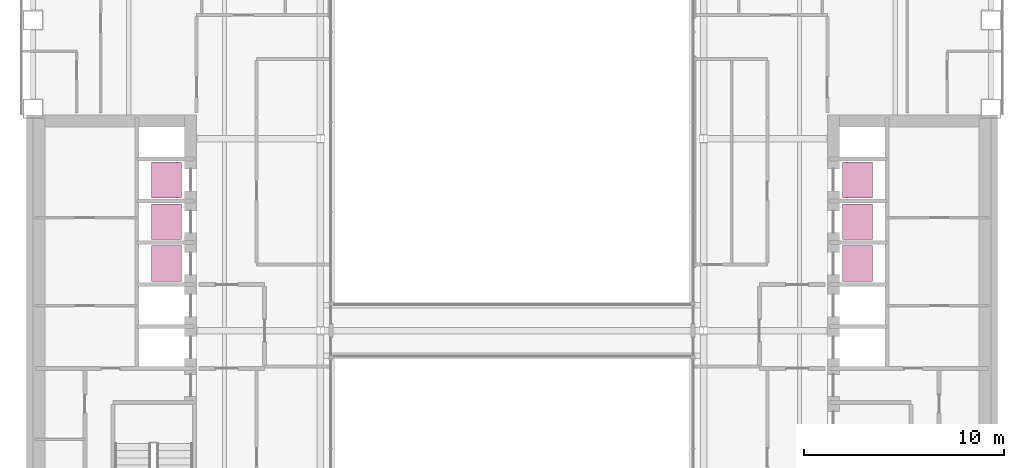
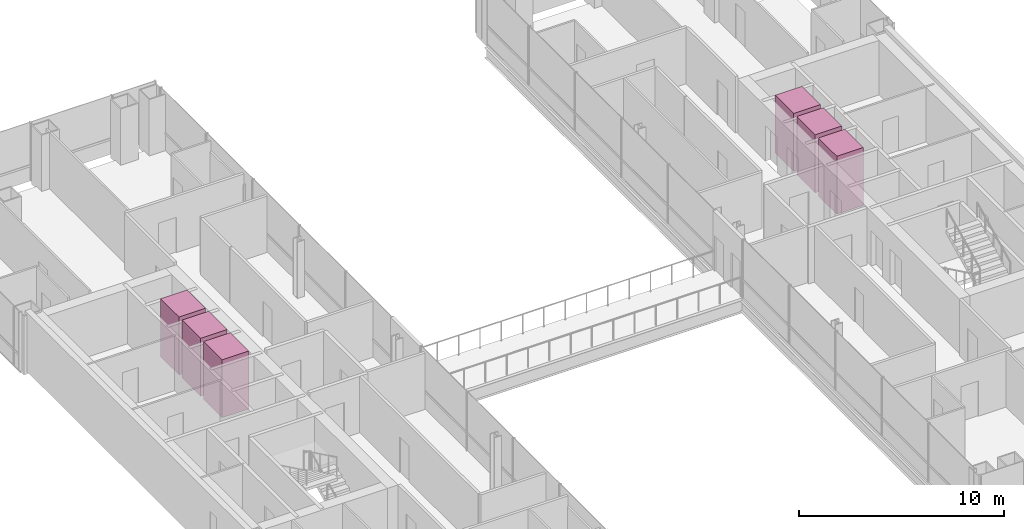
# One storey, part 19 of 19: 6 transport elements.
"""IFC4 building model written with IfcOpenShell, lengths in metres."""

from ifc_helpers import new_model, si_unit, direction, frame, origin, origin_2d, place, context, subcontext, project, spatial, rectangle, extrude, material, type_object, element, save


model = new_model("IFC4")

# Units and contexts
model_context = context("Model", 3, precision=1e-05, world=origin(), true_north=direction((0.0, 1.0)))
body_context = subcontext(model_context, "Body", "Model", "MODEL_VIEW")
ifc_project = project(units=[si_unit("LENGTHUNIT", "METRE"), si_unit("AREAUNIT", "SQUARE_METRE"), si_unit("VOLUMEUNIT", "CUBIC_METRE"), si_unit("PLANEANGLEUNIT", "RADIAN"), si_unit("MASSUNIT", "GRAM", prefix="KILO")], contexts=[model_context])

# Site, building, storey
site_placement = place(None, origin())
site = spatial("IfcSite", under=ifc_project, at=site_placement, CompositionType="ELEMENT")
building_placement = place(site_placement, origin())
building = spatial("IfcBuilding", under=site, at=building_placement, Name="Cobrizo Arcos Hotel Tower", CompositionType="ELEMENT")
storey_placement = place(building_placement, frame((0.0, 0.0, 63.5)))
storey = spatial("IfcBuildingStorey", under=building, at=storey_placement, Name="L14", CompositionType="ELEMENT", Elevation=63.5)

# Transport elements
ifc_material = material(Name="Stainless steel car", Category="steel")
transport_element_type = type_object("IfcTransportElementType", Name="Lift car Low 1.8x1.5", PredefinedType="ELEVATOR", material=ifc_material)
for number, where, z_axis, x_axis, name in (
    (1, (-17.300048828125, 3.35009765625, 0.0), (0.0, 0.0, 1.0), (1.0, 0.0, 0.0), "Low-rise passenger lift W1"),
    (2, (-17.300048828125, 5.449951171875, 0.0), (0.0, 0.0, 1.0), (1.0, 0.0, 0.0), "Low-rise passenger lift W2"),
    (3, (-17.300048828125, 7.550048828125, 0.0), (0.0, 0.0, 1.0), (1.0, 0.0, 0.0), "Low-rise passenger lift W3"),
    (4, (17.300048828125, 3.35009765625, 0.0), (0.0, 0.0, 1.0), (1.0, 0.0, 0.0), "Low-rise passenger lift E1"),
    (5, (17.300048828125, 5.449951171875, 0.0), (0.0, 0.0, 1.0), (1.0, 0.0, 0.0), "Low-rise passenger lift E2"),
    (6, (17.300048828125, 7.550048828125, 0.0), (0.0, 0.0, 1.0), (1.0, 0.0, 0.0), "Low-rise passenger lift E3"),
):
    element("IfcTransportElement", number, at=place(storey_placement, frame(where, z_axis=z_axis, x_axis=x_axis)), inside=storey, type_object=transport_element_type, Name=name, PredefinedType="ELEVATOR", context=body_context, shape_type="SweptSolid", body=[
        extrude(rectangle(XDim=1.5, YDim=1.800048828125, at=origin_2d()), origin(), (0.0, 0.0, 1.0), 3.449951171875),
    ])

save(model, "model.ifc")
